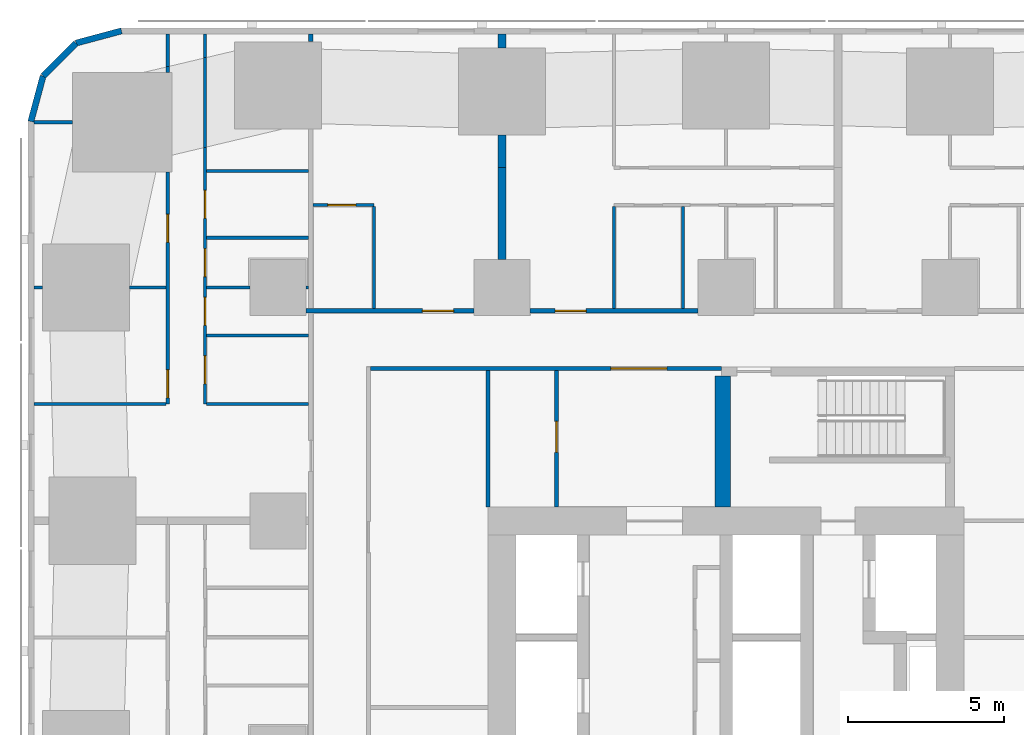
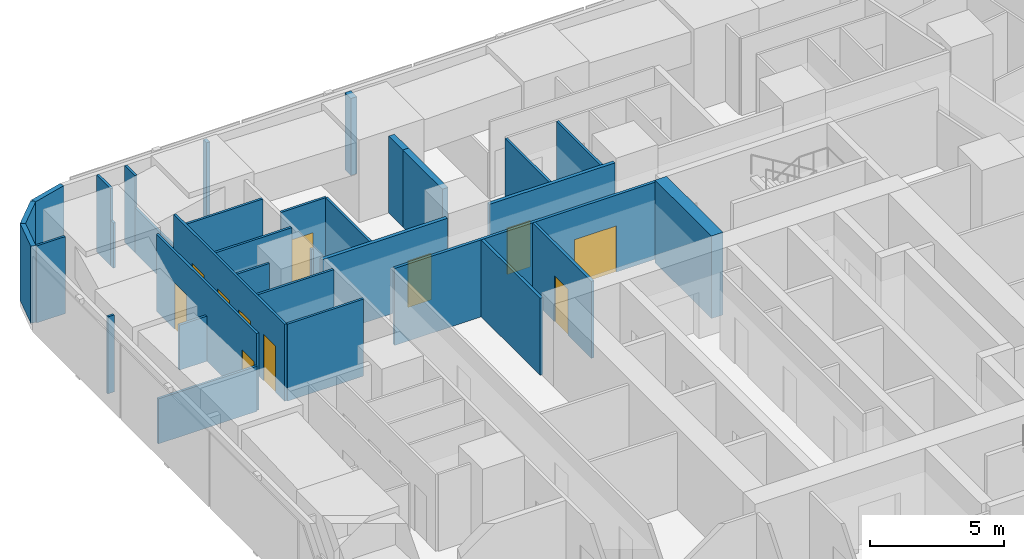
# One storey, part 11 of 18: 33 walls, 11 doors, 11 openings.
"""IFC4 building model written with IfcOpenShell, lengths in metres."""

from ifc_helpers import new_model, si_unit, direction, frame, frame_2d, origin, place, context, subcontext, project, spatial, rectangle, extrude, material, layer, layer_set, type_object, element, fill, save


model = new_model("IFC4")

# Units and contexts
model_context = context("Model", 3, precision=1e-05, world=origin(), true_north=direction((0.0, 1.0)))
body_context = subcontext(model_context, "Body", "Model", "MODEL_VIEW")
ifc_project = project(units=[si_unit("LENGTHUNIT", "METRE"), si_unit("AREAUNIT", "SQUARE_METRE"), si_unit("VOLUMEUNIT", "CUBIC_METRE"), si_unit("PLANEANGLEUNIT", "RADIAN"), si_unit("MASSUNIT", "GRAM", prefix="KILO")], contexts=[model_context])

# Site, building, storey
site_placement = place(None, origin())
site = spatial("IfcSite", under=ifc_project, at=site_placement, CompositionType="ELEMENT")
building_placement = place(site_placement, origin())
building = spatial("IfcBuilding", under=site, at=building_placement, Name="Sheger Commons Tower", CompositionType="ELEMENT")
storey_placement = place(building_placement, frame((0.0, 0.0, 38.75)))
storey = spatial("IfcBuildingStorey", under=building, at=storey_placement, Name="L09", CompositionType="ELEMENT", Elevation=38.75)

# Wall
ifc_material_1 = material(Name="Hollow concrete block masonry, skimmed both sides", Category="masonry")
ifc_layer_1 = layer(ifc_material_1, 0.14990234375)
ifc_layer_set_1 = layer_set([ifc_layer_1], Name="CORRIDOR WALL 150")
wall_type_1 = type_object("IfcWallType", Name="CORRIDOR WALL 150", PredefinedType="SOLIDWALL", material=ifc_layer_set_1)
wall_1_placement = place(storey_placement, frame((8.25, 45.40087890625, 0.0), z_axis=(0.0, 0.0, 1.0), x_axis=(0.0, 1.0, 0.0)))
element("IfcWall", 1, at=wall_1_placement, inside=storey, type_object=wall_type_1, Name="Corridor wall L09", PredefinedType="SOLIDWALL", context=body_context, shape_type="SweptSolid", body=[
    extrude(rectangle(XDim=0.2490234375, YDim=0.14990234375, at=frame_2d((0.12451171875, 0.0))), origin(), (0.0, 0.0, 1.0), 3.5),
])

# Wall, opening, door
wall_2_placement = place(storey_placement, frame((8.10009765625, 36.75, 0.0), z_axis=(0.0, 0.0, 1.0), x_axis=(1.0, 0.0, 0.0)))
wall_2 = element("IfcWall", 2, at=wall_2_placement, inside=storey, type_object=wall_type_1, Name="Corridor wall L09", PredefinedType="SOLIDWALL", context=body_context, shape_type="SweptSolid", body=[
    extrude(rectangle(XDim=5.39892578125, YDim=0.14990234375, at=frame_2d((2.699462890625, 0.0))), origin(), (0.0, 0.0, 1.0), 3.5),
])
opening_1_placement = place(wall_2_placement, frame((3.739013671875, 0.0, 0.0)))
opening_1 = element("IfcOpeningElement", 3, at=opening_1_placement, cuts=wall_2, Name="Opening D1", PredefinedType="OPENING", context=body_context, shape_type="SweptSolid", body=[
    extrude(rectangle(XDim=1.0, YDim=2.10009765625, at=frame_2d((0.5, 1.050048828125))), frame((0.0, 0.0849609375, 0.0), z_axis=(0.0, -1.0, 0.0), x_axis=(1.0, 0.0, 0.0)), (0.0, 0.0, 1.0), 0.169921875),
])
ifc_material_2 = material(Name="Steel door set, fire rated", Category="steel")
door_type_1 = type_object("IfcDoorType", Name="FLAT ENTRANCE DOOR 1000x2100", OperationType="NOTDEFINED", PredefinedType="DOOR", material=ifc_material_2)
door_1_placement = place(opening_1_placement, origin())
door_1 = element("IfcDoor", 4, at=door_1_placement, inside=storey, type_object=door_type_1, Name="Flat entrance door", OperationType="SINGLE_SWING_RIGHT", OverallHeight=2.10009765625, OverallWidth=1.0, PredefinedType="DOOR", context=body_context, shape_type="SweptSolid", body=[
    extrude(rectangle(XDim=1.0, YDim=2.10009765625, at=frame_2d((0.5, 1.050048828125))), frame((0.0, 0.02490234375, 0.0), z_axis=(0.0, -1.0, 0.0), x_axis=(1.0, 0.0, 0.0)), (0.0, 0.0, 1.0), 0.050048828125),
])
fill(opening_1, door_1)

wall_3_placement = place(storey_placement, frame((15.301025390625, 36.75, 0.0), z_axis=(0.0, 0.0, 1.0), x_axis=(1.0, 0.0, 0.0)))
wall_3 = element("IfcWall", 5, at=wall_3_placement, inside=storey, type_object=wall_type_1, Name="Corridor wall L09", PredefinedType="SOLIDWALL", context=body_context, shape_type="SweptSolid", body=[
    extrude(rectangle(XDim=5.39794921875, YDim=0.14990234375, at=frame_2d((2.698974609375, 0.0))), origin(), (0.0, 0.0, 1.0), 3.5),
])
opening_2_placement = place(wall_3_placement, frame((0.799072265625, 0.0, 0.0)))
opening_2 = element("IfcOpeningElement", 6, at=opening_2_placement, cuts=wall_3, Name="Opening D1", PredefinedType="OPENING", context=body_context, shape_type="SweptSolid", body=[
    extrude(rectangle(XDim=1.0, YDim=2.10009765625, at=frame_2d((0.5, 1.050048828125))), frame((0.0, 0.0849609375, 0.0), z_axis=(0.0, -1.0, 0.0), x_axis=(1.0, 0.0, 0.0)), (0.0, 0.0, 1.0), 0.169921875),
])
door_2_placement = place(opening_2_placement, origin())
door_2 = element("IfcDoor", 7, at=door_2_placement, inside=storey, type_object=door_type_1, Name="Flat entrance door", OperationType="SINGLE_SWING_LEFT", OverallHeight=2.10009765625, OverallWidth=1.0, PredefinedType="DOOR", context=body_context, shape_type="SweptSolid", body=[
    extrude(rectangle(XDim=1.0, YDim=2.10009765625, at=frame_2d((0.5, 1.050048828125))), frame((0.0, 0.02490234375, 0.0), z_axis=(0.0, -1.0, 0.0), x_axis=(1.0, 0.0, 0.0)), (0.0, 0.0, 1.0), 0.050048828125),
])
fill(opening_2, door_2)

# Walls
ifc_material_3 = material(Name="Dense concrete block masonry, plastered both sides (separating wall between flats)", Category="masonry")
ifc_layer_2 = layer(ifc_material_3, 0.25)
ifc_layer_set_2 = layer_set([ifc_layer_2], Name="DEMISING WALL 250")
wall_type_2 = type_object("IfcWallType", Name="DEMISING WALL 250", PredefinedType="SOLIDWALL", material=ifc_layer_set_2)
wall_4_placement = place(storey_placement, frame((14.39990234375, 41.35009765625, 0.0), z_axis=(0.0, 0.0, 1.0), x_axis=(0.0, 1.0, 0.0)))
element("IfcWall", 8, at=wall_4_placement, inside=storey, type_object=wall_type_2, Name="Demising wall L09", PredefinedType="SOLIDWALL", context=body_context, shape_type="SweptSolid", body=[
    extrude(rectangle(XDim=1.048828125, YDim=0.25, at=frame_2d((0.5244140625, 0.0))), origin(), (0.0, 0.0, 1.0), 3.5),
])
wall_5_placement = place(storey_placement, frame((14.39990234375, 45.200927734375, 0.0), z_axis=(0.0, 0.0, 1.0), x_axis=(0.0, 1.0, 0.0)))
element("IfcWall", 9, at=wall_5_placement, inside=storey, type_object=wall_type_2, Name="Demising wall L09", PredefinedType="SOLIDWALL", context=body_context, shape_type="SweptSolid", body=[
    extrude(rectangle(XDim=0.448974609375, YDim=0.25, at=frame_2d((0.224609375, 0.0))), origin(), (0.0, 0.0, 1.0), 3.5),
])
wall_6_placement = place(storey_placement, frame((14.39990234375, 38.40087890625, 0.0), z_axis=(0.0, 0.0, 1.0), x_axis=(0.0, 1.0, 0.0)))
element("IfcWall", 10, at=wall_6_placement, inside=storey, type_object=wall_type_2, Name="Demising wall L09", PredefinedType="SOLIDWALL", context=body_context, shape_type="SweptSolid", body=[
    extrude(rectangle(XDim=2.94921875, YDim=0.25, at=frame_2d((1.474609375, 0.0))), origin(), (0.0, 0.0, 1.0), 3.5),
])
ifc_material_4 = material(Name="Rendered concrete block masonry, dark grey", Category="masonry")
ifc_layer_3 = layer(ifc_material_4, 0.199951171875)
ifc_layer_set_3 = layer_set([ifc_layer_3], Name="FACADE WALL 200")
wall_type_3 = type_object("IfcWallType", Name="FACADE WALL 200", PredefinedType="SOLIDWALL", material=ifc_layer_set_3)
wall_7_placement = place(storey_placement, frame((2.1630859375, 45.75, 0.0), z_axis=(0.0, 0.0, 1.0), x_axis=(-0.965832000415, -0.259168954497, 0.0)))
element("IfcWall", 11, at=wall_7_placement, inside=storey, type_object=wall_type_3, Name="Facade wall L09", PredefinedType="SOLIDWALL", context=body_context, shape_type="SweptSolid", body=[
    extrude(rectangle(XDim=1.512939453125, YDim=0.199951171875, at=frame_2d((0.75634765625, 0.0))), origin(), (0.0, 0.0, 1.0), 3.5),
])
wall_8_placement = place(storey_placement, frame((0.701904296875, 45.35791015625, 0.0), z_axis=(0.0, 0.0, 1.0), x_axis=(-0.707106781187, -0.707106781187, 0.0)))
element("IfcWall", 12, at=wall_8_placement, inside=storey, type_object=wall_type_3, Name="Facade wall L09", PredefinedType="SOLIDWALL", context=body_context, shape_type="SweptSolid", body=[
    extrude(rectangle(XDim=1.498779296875, YDim=0.199951171875, at=frame_2d((0.74951171875, 0.0))), origin(), (0.0, 0.0, 1.0), 3.5),
])
wall_9_placement = place(storey_placement, frame((-0.35791015625, 44.298095703125, 0.0), z_axis=(0.0, 0.0, 1.0), x_axis=(-0.259168954497, -0.965832000415, 0.0)))
element("IfcWall", 13, at=wall_9_placement, inside=storey, type_object=wall_type_3, Name="Facade wall L09", PredefinedType="SOLIDWALL", context=body_context, shape_type="SweptSolid", body=[
    extrude(rectangle(XDim=1.512939453125, YDim=0.199951171875, at=frame_2d((0.75634765625, 0.0))), origin(), (0.0, 0.0, 1.0), 3.5),
])

# Wall, openings, doors
ifc_material_5 = material(Name="Gypsum board on steel studs", Category="steel")
ifc_layer_4 = layer(ifc_material_5, 0.10009765625)
ifc_layer_set_4 = layer_set([ifc_layer_4], Name="PARTITION 100")
wall_type_4 = type_object("IfcWallType", Name="PARTITION 100", PredefinedType="PARTITIONING", material=ifc_layer_set_4)
wall_10_placement = place(storey_placement, frame((3.64990234375, 33.75, 0.0), z_axis=(0.0, 0.0, 1.0), x_axis=(0.0, 1.0, 0.0)))
wall_10 = element("IfcWall", 14, at=wall_10_placement, inside=storey, type_object=wall_type_4, Name="Partition L09", PredefinedType="PARTITIONING", context=body_context, shape_type="SweptSolid", body=[
    extrude(rectangle(XDim=7.462890625, YDim=0.10009765625, at=frame_2d((3.7314453125, 0.0))), origin(), (0.0, 0.0, 1.0), 3.5),
])
opening_3_placement = place(wall_10_placement, frame((0.199951171875, 0.0, 0.0)))
opening_3 = element("IfcOpeningElement", 15, at=opening_3_placement, cuts=wall_10, Name="Opening D2", PredefinedType="OPENING", context=body_context, shape_type="SweptSolid", body=[
    extrude(rectangle(XDim=0.89990234375, YDim=2.10009765625, at=frame_2d((0.449951171875, 1.050048828125))), frame((0.0, 0.06005859375, 0.0), z_axis=(0.0, -1.0, 0.0), x_axis=(1.0, 0.0, 0.0)), (0.0, 0.0, 1.0), 0.1201171875),
])
opening_4_placement = place(wall_10_placement, frame((5.199951171875, 0.0, 0.0)))
opening_4 = element("IfcOpeningElement", 16, at=opening_4_placement, cuts=wall_10, Name="Opening D2", PredefinedType="OPENING", context=body_context, shape_type="SweptSolid", body=[
    extrude(rectangle(XDim=0.89990234375, YDim=2.10009765625, at=frame_2d((0.449951171875, 1.050048828125))), frame((0.0, 0.06005859375, 0.0), z_axis=(0.0, -1.0, 0.0), x_axis=(1.0, 0.0, 0.0)), (0.0, 0.0, 1.0), 0.1201171875),
])
ifc_material_6 = material(Name="Timber door set", Category="wood")
door_type_2 = type_object("IfcDoorType", Name="INTERNAL DOOR 900x2100", OperationType="NOTDEFINED", PredefinedType="DOOR", material=ifc_material_6)
door_3_placement = place(opening_3_placement, origin())
door_3 = element("IfcDoor", 17, at=door_3_placement, inside=storey, type_object=door_type_2, Name="Main bedroom door", OperationType="SINGLE_SWING_LEFT", OverallHeight=2.10009765625, OverallWidth=0.89990234375, PredefinedType="DOOR", context=body_context, shape_type="SweptSolid", body=[
    extrude(rectangle(XDim=0.89990234375, YDim=2.10009765625, at=frame_2d((0.449951171875, 1.050048828125))), frame((0.0, 0.02490234375, 0.0), z_axis=(0.0, -1.0, 0.0), x_axis=(1.0, 0.0, 0.0)), (0.0, 0.0, 1.0), 0.050048828125),
])
fill(opening_3, door_3)
door_4_placement = place(opening_4_placement, origin())
door_4 = element("IfcDoor", 18, at=door_4_placement, inside=storey, type_object=door_type_2, Name="Bedroom 2 door", OperationType="SINGLE_SWING_RIGHT", OverallHeight=2.10009765625, OverallWidth=0.89990234375, PredefinedType="DOOR", context=body_context, shape_type="SweptSolid", body=[
    extrude(rectangle(XDim=0.89990234375, YDim=2.10009765625, at=frame_2d((0.449951171875, 1.050048828125))), frame((0.0, 0.02490234375, 0.0), z_axis=(0.0, -1.0, 0.0), x_axis=(1.0, 0.0, 0.0)), (0.0, 0.0, 1.0), 0.050048828125),
])
fill(opening_4, door_4)

# Walls
wall_11_placement = place(storey_placement, frame((3.64990234375, 44.4150390625, 0.0), z_axis=(0.0, 0.0, 1.0), x_axis=(0.0, 1.0, 0.0)))
element("IfcWall", 19, at=wall_11_placement, inside=storey, type_object=wall_type_4, Name="Partition L09", PredefinedType="PARTITIONING", context=body_context, shape_type="SweptSolid", body=[
    extrude(rectangle(XDim=0.196044921875, YDim=0.10009765625, at=frame_2d((0.09814453125, 0.0))), origin(), (0.0, 0.0, 1.0), 2.050048828125),
])
wall_12_placement = place(storey_placement, frame((3.64990234375, 44.611083984375, 0.0), z_axis=(0.0, 0.0, 1.0), x_axis=(0.0, 1.0, 0.0)))
element("IfcWall", 20, at=wall_12_placement, inside=storey, type_object=wall_type_4, Name="Partition L09", PredefinedType="PARTITIONING", context=body_context, shape_type="SweptSolid", body=[
    extrude(rectangle(XDim=1.038818359375, YDim=0.10009765625, at=frame_2d((0.51953125, 0.0))), origin(), (0.0, 0.0, 1.0), 3.5),
])

# Wall, openings, doors
wall_13_placement = place(storey_placement, frame((4.85009765625, 33.75, 0.0), z_axis=(0.0, 0.0, 1.0), x_axis=(0.0, 1.0, 0.0)))
wall_13 = element("IfcWall", 21, at=wall_13_placement, inside=storey, type_object=wall_type_4, Name="Partition L09", PredefinedType="PARTITIONING", context=body_context, shape_type="SweptSolid", body=[
    extrude(rectangle(XDim=8.243896484375, YDim=0.10009765625, at=frame_2d((4.1220703125, 0.0))), origin(), (0.0, 0.0, 1.0), 3.5),
])
opening_5_placement = place(wall_13_placement, frame((0.655029296875, 0.0, 0.0)))
opening_5 = element("IfcOpeningElement", 22, at=opening_5_placement, cuts=wall_13, Name="Opening D2", PredefinedType="OPENING", context=body_context, shape_type="SweptSolid", body=[
    extrude(rectangle(XDim=0.89990234375, YDim=2.10009765625, at=frame_2d((0.449951171875, 1.050048828125))), frame((0.0, 0.06005859375, 0.0), z_axis=(0.0, -1.0, 0.0), x_axis=(1.0, 0.0, 0.0)), (0.0, 0.0, 1.0), 0.1201171875),
])
opening_6_placement = place(wall_13_placement, frame((4.10009765625, 0.0, 0.0)))
opening_6 = element("IfcOpeningElement", 23, at=opening_6_placement, cuts=wall_13, Name="Opening D2", PredefinedType="OPENING", context=body_context, shape_type="SweptSolid", body=[
    extrude(rectangle(XDim=0.89990234375, YDim=2.10009765625, at=frame_2d((0.449951171875, 1.050048828125))), frame((0.0, 0.06005859375, 0.0), z_axis=(0.0, -1.0, 0.0), x_axis=(1.0, 0.0, 0.0)), (0.0, 0.0, 1.0), 0.1201171875),
])
opening_7_placement = place(wall_13_placement, frame((2.530029296875, 0.0, 0.0)))
opening_7 = element("IfcOpeningElement", 24, at=opening_7_placement, cuts=wall_13, Name="Opening D2", PredefinedType="OPENING", context=body_context, shape_type="SweptSolid", body=[
    extrude(rectangle(XDim=0.89990234375, YDim=2.10009765625, at=frame_2d((0.449951171875, 1.050048828125))), frame((0.0, 0.06005859375, 0.0), z_axis=(0.0, -1.0, 0.0), x_axis=(1.0, 0.0, 0.0)), (0.0, 0.0, 1.0), 0.1201171875),
])
opening_8_placement = place(wall_13_placement, frame((5.97509765625, 0.0, 0.0)))
opening_8 = element("IfcOpeningElement", 25, at=opening_8_placement, cuts=wall_13, Name="Opening D2", PredefinedType="OPENING", context=body_context, shape_type="SweptSolid", body=[
    extrude(rectangle(XDim=0.89990234375, YDim=2.10009765625, at=frame_2d((0.449951171875, 1.050048828125))), frame((0.0, 0.06005859375, 0.0), z_axis=(0.0, -1.0, 0.0), x_axis=(1.0, 0.0, 0.0)), (0.0, 0.0, 1.0), 0.1201171875),
])
door_5_placement = place(opening_5_placement, origin())
door_5 = element("IfcDoor", 26, at=door_5_placement, inside=storey, type_object=door_type_2, Name="Bathroom door", OperationType="SINGLE_SWING_RIGHT", OverallHeight=2.10009765625, OverallWidth=0.89990234375, PredefinedType="DOOR", context=body_context, shape_type="SweptSolid", body=[
    extrude(rectangle(XDim=0.89990234375, YDim=2.10009765625, at=frame_2d((0.449951171875, 1.050048828125))), frame((0.0, 0.02490234375, 0.0), z_axis=(0.0, -1.0, 0.0), x_axis=(1.0, 0.0, 0.0)), (0.0, 0.0, 1.0), 0.050048828125),
])
fill(opening_5, door_5)
door_6_placement = place(opening_6_placement, origin())
door_6 = element("IfcDoor", 27, at=door_6_placement, inside=storey, type_object=door_type_2, Name="Shower room door", OperationType="SINGLE_SWING_LEFT", OverallHeight=2.10009765625, OverallWidth=0.89990234375, PredefinedType="DOOR", context=body_context, shape_type="SweptSolid", body=[
    extrude(rectangle(XDim=0.89990234375, YDim=2.10009765625, at=frame_2d((0.449951171875, 1.050048828125))), frame((0.0, 0.02490234375, 0.0), z_axis=(0.0, -1.0, 0.0), x_axis=(1.0, 0.0, 0.0)), (0.0, 0.0, 1.0), 0.050048828125),
])
fill(opening_6, door_6)
door_7_placement = place(opening_7_placement, origin())
door_7 = element("IfcDoor", 28, at=door_7_placement, inside=storey, type_object=door_type_2, Name="Store door", OperationType="SINGLE_SWING_LEFT", OverallHeight=2.10009765625, OverallWidth=0.89990234375, PredefinedType="DOOR", context=body_context, shape_type="SweptSolid", body=[
    extrude(rectangle(XDim=0.89990234375, YDim=2.10009765625, at=frame_2d((0.449951171875, 1.050048828125))), frame((0.0, 0.02490234375, 0.0), z_axis=(0.0, -1.0, 0.0), x_axis=(1.0, 0.0, 0.0)), (0.0, 0.0, 1.0), 0.050048828125),
])
fill(opening_7, door_7)
door_8_placement = place(opening_8_placement, origin())
door_8 = element("IfcDoor", 29, at=door_8_placement, inside=storey, type_object=door_type_2, Name="Store door", OperationType="SINGLE_SWING_RIGHT", OverallHeight=2.10009765625, OverallWidth=0.89990234375, PredefinedType="DOOR", context=body_context, shape_type="SweptSolid", body=[
    extrude(rectangle(XDim=0.89990234375, YDim=2.10009765625, at=frame_2d((0.449951171875, 1.050048828125))), frame((0.0, 0.02490234375, 0.0), z_axis=(0.0, -1.0, 0.0), x_axis=(1.0, 0.0, 0.0)), (0.0, 0.0, 1.0), 0.050048828125),
])
fill(opening_8, door_8)

# Walls
wall_14_placement = place(storey_placement, frame((4.85009765625, 41.993896484375, 0.0), z_axis=(0.0, 0.0, 1.0), x_axis=(0.0, 1.0, 0.0)))
element("IfcWall", 30, at=wall_14_placement, inside=storey, type_object=wall_type_4, Name="Partition L09", PredefinedType="PARTITIONING", context=body_context, shape_type="SweptSolid", body=[
    extrude(rectangle(XDim=2.901123046875, YDim=0.10009765625, at=frame_2d((1.45068359375, 0.0))), origin(), (0.0, 0.0, 1.0), 2.050048828125),
])
wall_15_placement = place(storey_placement, frame((4.85009765625, 44.89501953125, 0.0), z_axis=(0.0, 0.0, 1.0), x_axis=(0.0, 1.0, 0.0)))
element("IfcWall", 31, at=wall_15_placement, inside=storey, type_object=wall_type_4, Name="Partition L09", PredefinedType="PARTITIONING", context=body_context, shape_type="SweptSolid", body=[
    extrude(rectangle(XDim=0.7548828125, YDim=0.10009765625, at=frame_2d((0.37744140625, 0.0))), origin(), (0.0, 0.0, 1.0), 3.5),
])
wall_16_placement = place(storey_placement, frame((-0.64990234375, 33.75, 0.0), z_axis=(0.0, 0.0, 1.0), x_axis=(1.0, 0.0, 0.0)))
element("IfcWall", 32, at=wall_16_placement, inside=storey, type_object=wall_type_4, Name="Partition L09", PredefinedType="PARTITIONING", context=body_context, shape_type="SweptSolid", body=[
    extrude(rectangle(XDim=4.25, YDim=0.10009765625, at=frame_2d((2.125, 0.0))), origin(), (0.0, 0.0, 1.0), 2.050048828125),
])
wall_17_placement = place(storey_placement, frame((-0.64990234375, 37.5, 0.0), z_axis=(0.0, 0.0, 1.0), x_axis=(1.0, 0.0, 0.0)))
element("IfcWall", 33, at=wall_17_placement, inside=storey, type_object=wall_type_4, Name="Partition L09", PredefinedType="PARTITIONING", context=body_context, shape_type="SweptSolid", body=[
    extrude(rectangle(XDim=0.27392578125, YDim=0.10009765625, at=frame_2d((0.136962890625, 0.0))), origin(), (0.0, 0.0, 1.0), 3.5),
])
wall_18_placement = place(storey_placement, frame((2.426025390625, 37.5, 0.0), z_axis=(0.0, 0.0, 1.0), x_axis=(1.0, 0.0, 0.0)))
element("IfcWall", 34, at=wall_18_placement, inside=storey, type_object=wall_type_4, Name="Partition L09", PredefinedType="PARTITIONING", context=body_context, shape_type="SweptSolid", body=[
    extrude(rectangle(XDim=1.174072265625, YDim=0.10009765625, at=frame_2d((0.5869140625, 0.0))), origin(), (0.0, 0.0, 1.0), 2.050048828125),
])
wall_19_placement = place(storey_placement, frame((-0.64990234375, 42.81396484375, 0.0), z_axis=(0.0, 0.0, 1.0), x_axis=(1.0, 0.0, 0.0)))
element("IfcWall", 35, at=wall_19_placement, inside=storey, type_object=wall_type_4, Name="Partition L09", PredefinedType="PARTITIONING", context=body_context, shape_type="SweptSolid", body=[
    extrude(rectangle(XDim=1.23486328125, YDim=0.10009765625, at=frame_2d((0.617431640625, 0.0))), origin(), (0.0, 0.0, 1.0), 3.5),
])
wall_20_placement = place(storey_placement, frame((4.89990234375, 33.75, 0.0), z_axis=(0.0, 0.0, 1.0), x_axis=(1.0, 0.0, 0.0)))
element("IfcWall", 36, at=wall_20_placement, inside=storey, type_object=wall_type_4, Name="Partition L09", PredefinedType="PARTITIONING", context=body_context, shape_type="SweptSolid", body=[
    extrude(rectangle(XDim=3.275146484375, YDim=0.10009765625, at=frame_2d((1.6376953125, 0.0))), origin(), (0.0, 0.0, 1.0), 3.5),
])
wall_21_placement = place(storey_placement, frame((4.89990234375, 37.5, 0.0), z_axis=(0.0, 0.0, 1.0), x_axis=(1.0, 0.0, 0.0)))
element("IfcWall", 37, at=wall_21_placement, inside=storey, type_object=wall_type_4, Name="Partition L09", PredefinedType="PARTITIONING", context=body_context, shape_type="SweptSolid", body=[
    extrude(rectangle(XDim=1.399169921875, YDim=0.10009765625, at=frame_2d((0.69970703125, 0.0))), origin(), (0.0, 0.0, 1.0), 3.5),
])
wall_22_placement = place(storey_placement, frame((8.10107421875, 37.5, 0.0), z_axis=(0.0, 0.0, 1.0), x_axis=(1.0, 0.0, 0.0)))
element("IfcWall", 38, at=wall_22_placement, inside=storey, type_object=wall_type_4, Name="Partition L09", PredefinedType="PARTITIONING", context=body_context, shape_type="SweptSolid", body=[
    extrude(rectangle(XDim=0.073974609375, YDim=0.10009765625, at=frame_2d((0.037109375, 0.0))), origin(), (0.0, 0.0, 1.0), 3.5),
])
for number, where, z_axis, x_axis, name in (
    (39, (4.89990234375, 41.25, 0.0), (0.0, 0.0, 1.0), (1.0, 0.0, 0.0), "Partition L09"),
    (40, (4.89990234375, 35.9599609375, 0.0), (0.0, 0.0, 1.0), (1.0, 0.0, 0.0), "Partition L09"),
    (41, (4.89990234375, 39.10009765625, 0.0), (0.0, 0.0, 1.0), (1.0, 0.0, 0.0), "Partition L09"),
):
    element("IfcWall", number, at=place(storey_placement, frame(where, z_axis=z_axis, x_axis=x_axis)), inside=storey, type_object=wall_type_4, Name=name, PredefinedType="PARTITIONING", context=body_context, shape_type="SweptSolid", body=[
        extrude(rectangle(XDim=3.275146484375, YDim=0.10009765625, at=frame_2d((1.6376953125, 0.0))), origin(), (0.0, 0.0, 1.0), 3.5),
    ])

# Wall, opening, door
wall_23_placement = place(storey_placement, frame((8.324951171875, 40.14990234375, 0.0), z_axis=(0.0, 0.0, 1.0), x_axis=(1.0, 0.0, 0.0)))
wall_23 = element("IfcWall", 42, at=wall_23_placement, inside=storey, type_object=wall_type_4, Name="Partition L09", PredefinedType="PARTITIONING", context=body_context, shape_type="SweptSolid", body=[
    extrude(rectangle(XDim=1.9541015625, YDim=0.10009765625, at=frame_2d((0.97705078125, 0.0))), origin(), (0.0, 0.0, 1.0), 3.5),
])
opening_9_placement = place(wall_23_placement, frame((0.47509765625, 0.0, 0.0)))
opening_9 = element("IfcOpeningElement", 43, at=opening_9_placement, cuts=wall_23, Name="Opening D2", PredefinedType="OPENING", context=body_context, shape_type="SweptSolid", body=[
    extrude(rectangle(XDim=0.89990234375, YDim=2.10009765625, at=frame_2d((0.449951171875, 1.050048828125))), frame((0.0, 0.06005859375, 0.0), z_axis=(0.0, -1.0, 0.0), x_axis=(1.0, 0.0, 0.0)), (0.0, 0.0, 1.0), 0.1201171875),
])
door_9_placement = place(opening_9_placement, origin())
door_9 = element("IfcDoor", 44, at=door_9_placement, inside=storey, type_object=door_type_2, Name="Shower room door", OperationType="SINGLE_SWING_RIGHT", OverallHeight=2.10009765625, OverallWidth=0.89990234375, PredefinedType="DOOR", context=body_context, shape_type="SweptSolid", body=[
    extrude(rectangle(XDim=0.89990234375, YDim=2.10009765625, at=frame_2d((0.449951171875, 1.050048828125))), frame((0.0, 0.02490234375, 0.0), z_axis=(0.0, -1.0, 0.0), x_axis=(1.0, 0.0, 0.0)), (0.0, 0.0, 1.0), 0.050048828125),
])
fill(opening_9, door_9)

# Walls
for number, where, z_axis, x_axis, name in (
    (45, (10.279052734375, 36.824951171875, 0.0), (0.0, 0.0, 1.0), (0.0, 1.0, 0.0), "Partition L09"),
    (46, (18.0, 36.824951171875, 0.0), (0.0, 0.0, 1.0), (0.0, 1.0, 0.0), "Partition L09"),
    (47, (20.2099609375, 36.824951171875, 0.0), (0.0, 0.0, 1.0), (0.0, 1.0, 0.0), "Partition L09"),
):
    element("IfcWall", number, at=place(storey_placement, frame(where, z_axis=z_axis, x_axis=x_axis)), inside=storey, type_object=wall_type_4, Name=name, PredefinedType="PARTITIONING", context=body_context, shape_type="SweptSolid", body=[
        extrude(rectangle(XDim=3.275146484375, YDim=0.10009765625, at=frame_2d((1.6376953125, 0.0))), origin(), (0.0, 0.0, 1.0), 3.5),
    ])
ifc_material_7 = material(Name="Gypsum board on steel studs, two layers each side, fire rated", Category="steel")
ifc_layer_5 = layer(ifc_material_7, 0.125)
ifc_layer_set_5 = layer_set([ifc_layer_5], Name="SERVICE WALL 125")
wall_type_5 = type_object("IfcWallType", Name="SERVICE WALL 125", PredefinedType="PARTITIONING", material=ifc_layer_set_5)
wall_24_placement = place(storey_placement, frame((13.949951171875, 30.449951171875, 0.0), z_axis=(0.0, 0.0, 1.0), x_axis=(0.0, 1.0, 0.0)))
element("IfcWall", 48, at=wall_24_placement, inside=storey, type_object=wall_type_5, Name="Service room wall L09", PredefinedType="PARTITIONING", context=body_context, shape_type="SweptSolid", body=[
    extrude(rectangle(XDim=4.386962890625, YDim=0.125, at=frame_2d((2.193359375, 0.0))), origin(), (0.0, 0.0, 1.0), 3.5),
])

# Wall, opening, door
wall_25_placement = place(storey_placement, frame((10.1630859375, 34.89990234375, 0.0), z_axis=(0.0, 0.0, 1.0), x_axis=(1.0, 0.0, 0.0)))
wall_25 = element("IfcWall", 49, at=wall_25_placement, inside=storey, type_object=wall_type_5, Name="Service room wall L09", PredefinedType="PARTITIONING", context=body_context, shape_type="SweptSolid", body=[
    extrude(rectangle(XDim=11.286865234375, YDim=0.125, at=frame_2d((5.6435546875, 0.0))), origin(), (0.0, 0.0, 1.0), 3.5),
])
opening_10_placement = place(wall_25_placement, frame((7.737060546875, 0.0, 0.0)))
opening_10 = element("IfcOpeningElement", 50, at=opening_10_placement, cuts=wall_25, Name="Opening D6", PredefinedType="OPENING", context=body_context, shape_type="SweptSolid", body=[
    extrude(rectangle(XDim=1.800048828125, YDim=2.10009765625, at=frame_2d((0.89990234375, 1.050048828125))), frame((0.0, 0.072509765625, 0.0), z_axis=(0.0, -1.0, 0.0), x_axis=(1.0, 0.0, 0.0)), (0.0, 0.0, 1.0), 0.14501953125),
])
ifc_material_8 = material(Name="Steel door set, fire rated", Category="steel")
door_type_3 = type_object("IfcDoorType", Name="LOBBY DOUBLE DOOR 1800x2100", OperationType="DOUBLE_DOOR_SINGLE_SWING", PredefinedType="DOOR", material=ifc_material_8)
door_10_placement = place(opening_10_placement, origin())
door_10 = element("IfcDoor", 51, at=door_10_placement, inside=storey, type_object=door_type_3, Name="Lift lobby north door", OperationType="DOUBLE_DOOR_SINGLE_SWING", OverallHeight=2.10009765625, OverallWidth=1.800048828125, PredefinedType="DOOR", context=body_context, shape_type="SweptSolid", body=[
    extrude(rectangle(XDim=1.800048828125, YDim=2.10009765625, at=frame_2d((0.89990234375, 1.050048828125))), frame((0.0, 0.02490234375, 0.0), z_axis=(0.0, -1.0, 0.0), x_axis=(1.0, 0.0, 0.0)), (0.0, 0.0, 1.0), 0.050048828125),
])
fill(opening_10, door_10)

wall_26_placement = place(storey_placement, frame((16.14990234375, 30.449951171875, 0.0), z_axis=(0.0, 0.0, 1.0), x_axis=(0.0, 1.0, 0.0)))
wall_26 = element("IfcWall", 52, at=wall_26_placement, inside=storey, type_object=wall_type_5, Name="Service room wall L09", PredefinedType="PARTITIONING", context=body_context, shape_type="SweptSolid", body=[
    extrude(rectangle(XDim=4.386962890625, YDim=0.125, at=frame_2d((2.193359375, 0.0))), origin(), (0.0, 0.0, 1.0), 3.5),
])
opening_11_placement = place(wall_26_placement, frame((1.75, 0.0, 0.0)))
opening_11 = element("IfcOpeningElement", 53, at=opening_11_placement, cuts=wall_26, Name="Opening D4", PredefinedType="OPENING", context=body_context, shape_type="SweptSolid", body=[
    extrude(rectangle(XDim=1.0, YDim=2.10009765625, at=frame_2d((0.5, 1.050048828125))), frame((0.0, 0.072509765625, 0.0), z_axis=(0.0, -1.0, 0.0), x_axis=(1.0, 0.0, 0.0)), (0.0, 0.0, 1.0), 0.14501953125),
])
ifc_material_9 = material(Name="Steel door set, fire rated", Category="steel")
door_type_4 = type_object("IfcDoorType", Name="SERVICE DOOR 1000x2100", OperationType="NOTDEFINED", PredefinedType="DOOR", material=ifc_material_9)
door_11_placement = place(opening_11_placement, origin())
door_11 = element("IfcDoor", 54, at=door_11_placement, inside=storey, type_object=door_type_4, Name="Telecom room door", OperationType="SINGLE_SWING_RIGHT", OverallHeight=2.10009765625, OverallWidth=1.0, PredefinedType="DOOR", context=body_context, shape_type="SweptSolid", body=[
    extrude(rectangle(XDim=1.0, YDim=2.10009765625, at=frame_2d((0.5, 1.050048828125))), frame((0.0, 0.02490234375, 0.0), z_axis=(0.0, -1.0, 0.0), x_axis=(1.0, 0.0, 0.0)), (0.0, 0.0, 1.0), 0.050048828125),
])
fill(opening_11, door_11)

# Wall
ifc_material_10 = material(Name="Concrete C50/60", Category="concrete")
ifc_layer_6 = layer(ifc_material_10, 0.5)
ifc_layer_set_6 = layer_set([ifc_layer_6], Name="STAIR CORE WALL 500")
wall_type_6 = type_object("IfcWallType", Name="STAIR CORE WALL 500", PredefinedType="SHEAR", material=ifc_layer_set_6)
wall_27_placement = place(storey_placement, frame((21.5, 30.449951171875, 0.0), z_axis=(0.0, 0.0, 1.0), x_axis=(0.0, 1.0, 0.0)))
element("IfcWall", 55, at=wall_27_placement, inside=storey, type_object=wall_type_6, Name="STW-L09-S2W", PredefinedType="SHEAR", context=body_context, shape_type="SweptSolid", body=[
    extrude(rectangle(XDim=4.199951171875, YDim=0.5, at=frame_2d((2.10009765625, 0.0))), origin(), (0.0, 0.0, 1.0), 3.75),
])

save(model, "model.ifc")
